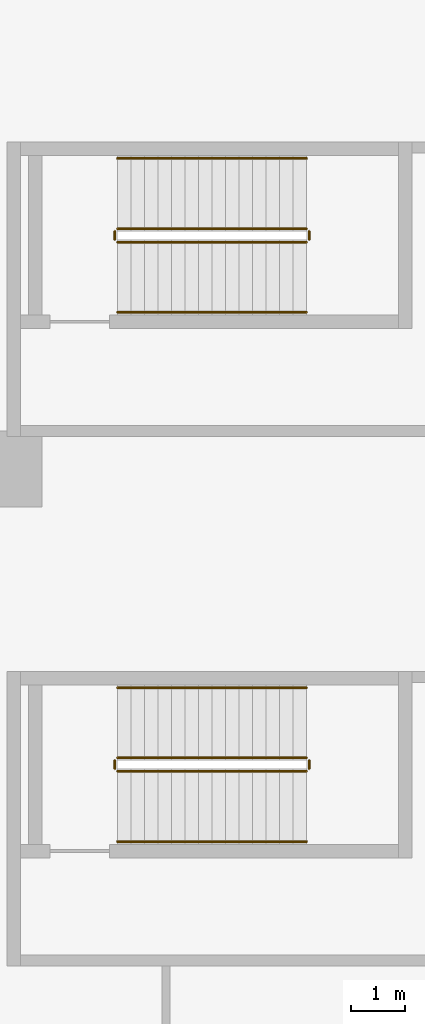
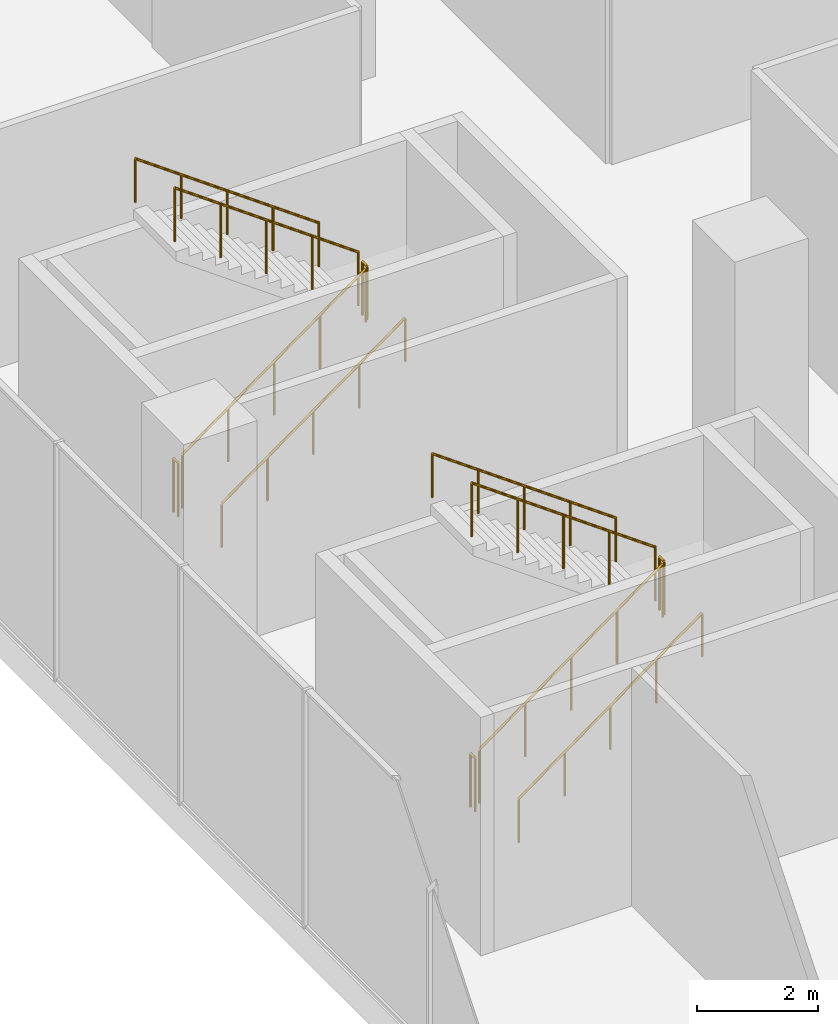
# One storey, part 21 of 23: 12 railings.
"""IFC4 building model written with IfcOpenShell, lengths in metres."""

from ifc_helpers import new_model, si_unit, direction, frame, origin, origin_2d, place, context, subcontext, project, spatial, circle, extrude, source, transform, mapped, material, type_object, element, save


model = new_model("IFC4")

# Units and contexts
model_context = context("Model", 3, precision=1e-05, world=origin(), true_north=direction((0.0, 1.0)))
body_context = subcontext(model_context, "Body", "Model", "MODEL_VIEW")
ifc_project = project(units=[si_unit("LENGTHUNIT", "METRE"), si_unit("AREAUNIT", "SQUARE_METRE"), si_unit("VOLUMEUNIT", "CUBIC_METRE"), si_unit("PLANEANGLEUNIT", "RADIAN"), si_unit("MASSUNIT", "GRAM", prefix="KILO")], contexts=[model_context])

# Site, building, storey
site_placement = place(None, origin())
site = spatial("IfcSite", under=ifc_project, at=site_placement, CompositionType="ELEMENT")
building_placement = place(site_placement, origin())
building = spatial("IfcBuilding", under=site, at=building_placement, Name="Aurelian Terraces", CompositionType="ELEMENT")
storey_placement = place(building_placement, frame((0.0, 0.0, 23.7)))
storey = spatial("IfcBuildingStorey", under=building, at=storey_placement, Name="L04", CompositionType="ELEMENT", Elevation=23.7)

# Railings
ifc_material = material(Name="Stainless steel", Category="steel")
railing_type_1 = type_object("IfcRailingType", Name="Stair guard 1100", PredefinedType="GUARDRAIL", material=ifc_material)
shared_shape_1 = source(origin(), body_context, "Body", "SweptSolid", [
    extrude(circle(Radius=0.024, at=origin_2d()), frame((0.0, 0.0, 1.076), z_axis=(0.0, 1.0, 0.0), x_axis=(-1.0, 0.0, 0.0)), (0.0, 0.0, 1.0), 0.15),
    extrude(circle(Radius=0.021, at=origin_2d()), origin(), (0.0, 0.0, 1.0), 1.052),
    extrude(circle(Radius=0.021, at=origin_2d()), frame((0.0, 0.15, 0.0)), (0.0, 0.0, 1.0), 1.052),
])
for number, where, name in (
    (1, (5.65, 42.05, 2.7), "L04 S3 stair guard 2"),
    (2, (2.05, 42.05, 0.0), "L04 S3 stair guard 4"),
    (3, (5.65, 32.25, 2.7), "L04 S4 stair guard 2"),
    (4, (2.05, 32.25, 0.0), "L04 S4 stair guard 4"),
):
    element("IfcRailing", number, at=place(storey_placement, frame(where)), inside=storey, type_object=railing_type_1, Name=name, PredefinedType="GUARDRAIL", context=body_context, shape_type="MappedRepresentation", body=[
        mapped(shared_shape_1, transform((0.0, 0.0, 0.0), scale=1.0)),
    ])
shared_shape_2 = source(origin(), body_context, "Body", "SweptSolid", [
    extrude(circle(Radius=0.024, at=origin_2d()), frame((0.0, 0.0, 1.076), z_axis=(0.811534341451, 0.0, 0.584304725845), x_axis=(0.0, 1.0, 0.0)), (0.0, 0.0, 1.0), 4.3128),
    extrude(circle(Radius=0.021, at=origin_2d()), origin(), (0.0, 0.0, 1.0), 1.052),
    extrude(circle(Radius=0.021, at=origin_2d()), frame((0.875, 0.0, 0.63)), (0.0, 0.0, 1.0), 1.052),
    extrude(circle(Radius=0.021, at=origin_2d()), frame((1.75, 0.0, 1.26)), (0.0, 0.0, 1.0), 1.052),
    extrude(circle(Radius=0.021, at=origin_2d()), frame((2.625, 0.0, 1.89)), (0.0, 0.0, 1.0), 1.052),
    extrude(circle(Radius=0.021, at=origin_2d()), frame((3.5, 0.0, 2.52)), (0.0, 0.0, 1.0), 1.052),
])
for number, where, name in (
    (5, (2.1, 42.0, 0.18), "L04 S3 stair guard 1"),
    (6, (2.1, 32.2, 0.18), "L04 S4 stair guard 1"),
):
    element("IfcRailing", number, at=place(storey_placement, frame(where)), inside=storey, type_object=railing_type_1, Name=name, PredefinedType="GUARDRAIL", context=body_context, shape_type="MappedRepresentation", body=[
        mapped(shared_shape_2, transform((0.0, 0.0, 0.0), scale=1.0)),
    ])
shared_shape_3 = source(origin(), body_context, "Body", "SweptSolid", [
    extrude(circle(Radius=0.024, at=origin_2d()), frame((0.0, 0.0, 1.076), z_axis=(-0.811534341451, 0.0, 0.584304725845), x_axis=(0.0, -1.0, 0.0)), (0.0, 0.0, 1.0), 4.3128),
    extrude(circle(Radius=0.021, at=origin_2d()), origin(), (0.0, 0.0, 1.0), 1.052),
    extrude(circle(Radius=0.021, at=origin_2d()), frame((-0.875, 0.0, 0.63)), (0.0, 0.0, 1.0), 1.052),
    extrude(circle(Radius=0.021, at=origin_2d()), frame((-1.75, 0.0, 1.26)), (0.0, 0.0, 1.0), 1.052),
    extrude(circle(Radius=0.021, at=origin_2d()), frame((-2.625, 0.0, 1.89)), (0.0, 0.0, 1.0), 1.052),
    extrude(circle(Radius=0.021, at=origin_2d()), frame((-3.5, 0.0, 2.52)), (0.0, 0.0, 1.0), 1.052),
])
for number, where, name in (
    (7, (5.6, 42.25, 2.88), "L04 S3 stair guard 3"),
    (8, (5.6, 32.45, 2.88), "L04 S4 stair guard 3"),
):
    element("IfcRailing", number, at=place(storey_placement, frame(where)), inside=storey, type_object=railing_type_1, Name=name, PredefinedType="GUARDRAIL", context=body_context, shape_type="MappedRepresentation", body=[
        mapped(shared_shape_3, transform((0.0, 0.0, 0.0), scale=1.0)),
    ])
railing_type_2 = type_object("IfcRailingType", Name="Stair handrail", PredefinedType="HANDRAIL", material=ifc_material)
shared_shape_4 = source(origin(), body_context, "Body", "SweptSolid", [
    extrude(circle(Radius=0.024, at=origin_2d()), frame((0.0, 0.0, 0.876), z_axis=(0.811534341451, 0.0, 0.584304725845), x_axis=(0.0, 1.0, 0.0)), (0.0, 0.0, 1.0), 4.3128),
    extrude(circle(Radius=0.021, at=origin_2d()), origin(), (0.0, 0.0, 1.0), 0.852),
    extrude(circle(Radius=0.021, at=origin_2d()), frame((0.875, 0.0, 0.63)), (0.0, 0.0, 1.0), 0.852),
    extrude(circle(Radius=0.021, at=origin_2d()), frame((1.75, 0.0, 1.26)), (0.0, 0.0, 1.0), 0.852),
    extrude(circle(Radius=0.021, at=origin_2d()), frame((2.625, 0.0, 1.89)), (0.0, 0.0, 1.0), 0.852),
    extrude(circle(Radius=0.021, at=origin_2d()), frame((3.5, 0.0, 2.52)), (0.0, 0.0, 1.0), 0.852),
])
for number, where, name in (
    (9, (2.1, 40.7, 0.18), "L04 S3 stair handrail 1"),
    (10, (2.1, 30.9, 0.18), "L04 S4 stair handrail 1"),
):
    element("IfcRailing", number, at=place(storey_placement, frame(where)), inside=storey, type_object=railing_type_2, Name=name, PredefinedType="HANDRAIL", context=body_context, shape_type="MappedRepresentation", body=[
        mapped(shared_shape_4, transform((0.0, 0.0, 0.0), scale=1.0)),
    ])
shared_shape_5 = source(origin(), body_context, "Body", "SweptSolid", [
    extrude(circle(Radius=0.024, at=origin_2d()), frame((0.0, 0.0, 0.876), z_axis=(-0.811534341451, 0.0, 0.584304725845), x_axis=(0.0, -1.0, 0.0)), (0.0, 0.0, 1.0), 4.3128),
    extrude(circle(Radius=0.021, at=origin_2d()), origin(), (0.0, 0.0, 1.0), 0.852),
    extrude(circle(Radius=0.021, at=origin_2d()), frame((-0.875, 0.0, 0.63)), (0.0, 0.0, 1.0), 0.852),
    extrude(circle(Radius=0.021, at=origin_2d()), frame((-1.75, 0.0, 1.26)), (0.0, 0.0, 1.0), 0.852),
    extrude(circle(Radius=0.021, at=origin_2d()), frame((-2.625, 0.0, 1.89)), (0.0, 0.0, 1.0), 0.852),
    extrude(circle(Radius=0.021, at=origin_2d()), frame((-3.5, 0.0, 2.52)), (0.0, 0.0, 1.0), 0.852),
])
for number, where, name in (
    (11, (5.6, 43.55, 2.88), "L04 S3 stair handrail 2"),
    (12, (5.6, 33.75, 2.88), "L04 S4 stair handrail 2"),
):
    element("IfcRailing", number, at=place(storey_placement, frame(where)), inside=storey, type_object=railing_type_2, Name=name, PredefinedType="HANDRAIL", context=body_context, shape_type="MappedRepresentation", body=[
        mapped(shared_shape_5, transform((0.0, 0.0, 0.0), scale=1.0)),
    ])

save(model, "model.ifc")
